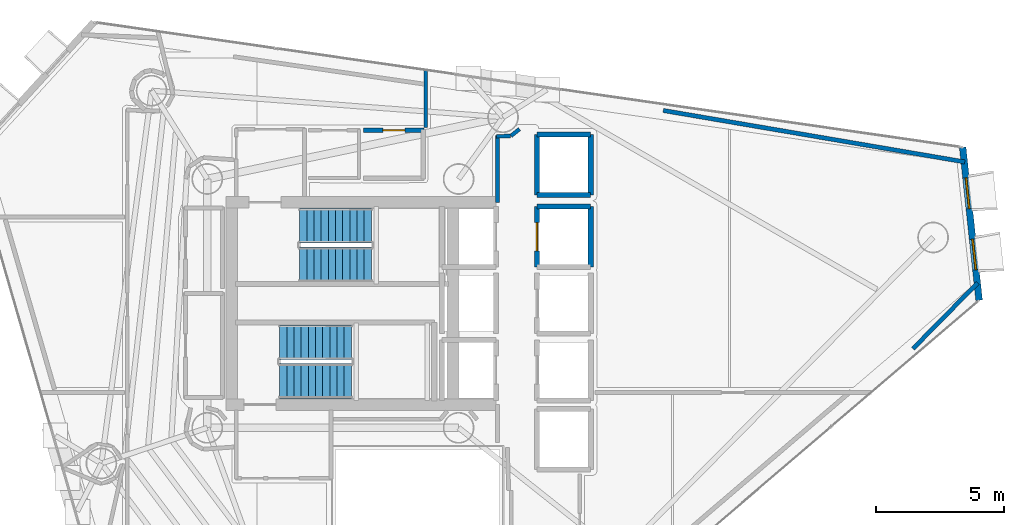
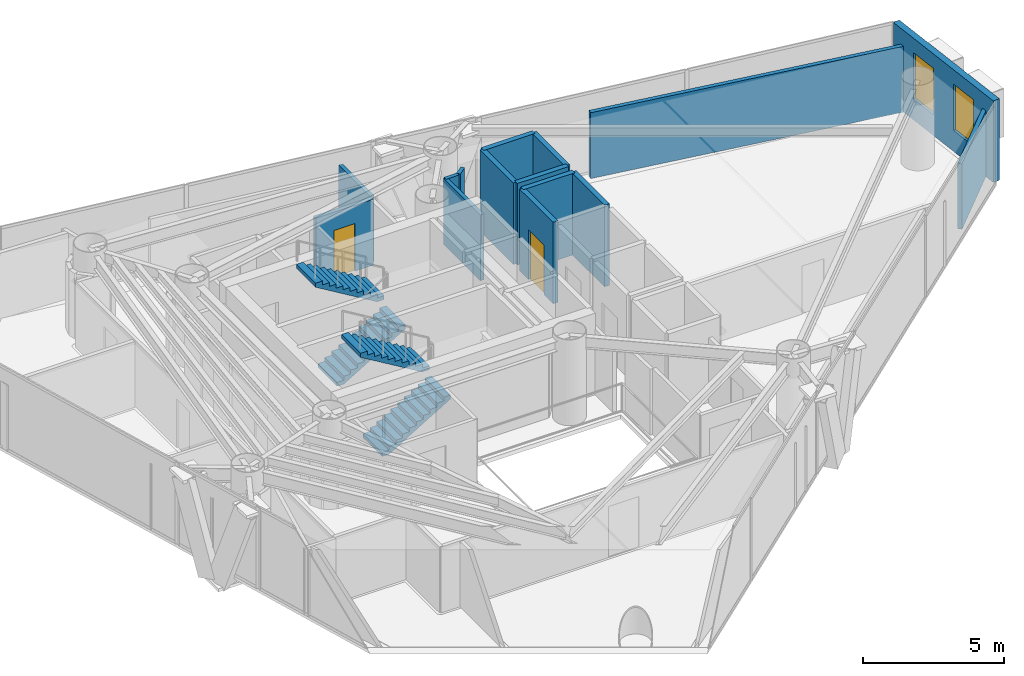
# One storey, part 20 of 23: 15 walls, 4 stair flights, 2 doors, 2 windows, 4 openings, 2 elements without a shape of their own.
"""IFC4 building model written with IfcOpenShell, lengths in metres."""

from ifc_helpers import new_model, si_unit, direction, frame, frame_2d, origin, place, context, subcontext, project, spatial, polyline, rectangle, outline, extrude, material, layer, layer_set, type_object, element, fill, aggregate, save


model = new_model("IFC4")

# Units and contexts
model_context = context("Model", 3, precision=1e-05, world=origin(), true_north=direction((0.0, 1.0)))
body_context = subcontext(model_context, "Body", "Model", "MODEL_VIEW")
ifc_project = project(units=[si_unit("LENGTHUNIT", "METRE"), si_unit("AREAUNIT", "SQUARE_METRE"), si_unit("VOLUMEUNIT", "CUBIC_METRE"), si_unit("PLANEANGLEUNIT", "RADIAN"), si_unit("MASSUNIT", "GRAM", prefix="KILO")], contexts=[model_context])

# Site, building, storey
site_placement = place(None, origin())
site = spatial("IfcSite", under=ifc_project, at=site_placement, CompositionType="ELEMENT")
building_placement = place(site_placement, origin())
building = spatial("IfcBuilding", under=site, at=building_placement, Name="Qianvela Tower", CompositionType="ELEMENT")
storey_placement = place(building_placement, frame((0.0, 0.0, 215.10009765625)))
storey = spatial("IfcBuildingStorey", under=building, at=storey_placement, Name="L55", CompositionType="ELEMENT", Elevation=215.10009765625)

# Wall, openings, windows
ifc_material_1 = material(Name="Terracotta Cladding on Concrete C40", Category="masonry")
ifc_layer_1 = layer(ifc_material_1, 0.260009765625)
ifc_layer_set_1 = layer_set([ifc_layer_1], Name="Terracotta Cladding on Concrete C40")
wall_type_1 = type_object("IfcWallType", Name="TERRACOTTA-WALL-260", PredefinedType="SOLIDWALL", material=ifc_layer_set_1)
wall_1_placement = place(storey_placement, frame((58.691650390625, 28.82177734375, 0.0), z_axis=(0.0, 0.0, 1.0), x_axis=(-0.106904112584, 0.994269335096, 0.0)))
wall_1 = element("IfcWall", 1, at=wall_1_placement, inside=storey, type_object=wall_type_1, Name="L55 Terracotta Chamfer Facet Wall 1", PredefinedType="SOLIDWALL", context=body_context, shape_type="SweptSolid", body=[
    extrude(rectangle(XDim=5.994873046875, YDim=0.260009765625, at=frame_2d((2.99755859375, 0.0))), origin(), (0.0, 0.0, 1.0), 3.52001953125),
])
opening_1_placement = place(wall_1_placement, frame((1.198486328125, 0.0, 0.89990234375)))
opening_1 = element("IfcOpeningElement", 2, at=opening_1_placement, cuts=wall_1, Name="Opening W-03", PredefinedType="OPENING", context=body_context, shape_type="SweptSolid", body=[
    extrude(rectangle(XDim=1.199951171875, YDim=2.0, at=frame_2d((0.60009765625, 1.0))), frame((0.0, 0.139892578125, 0.0), z_axis=(0.0, -1.0, 0.0), x_axis=(1.0, 0.0, 0.0)), (0.0, 0.0, 1.0), 0.280029296875),
])
opening_2_placement = place(wall_1_placement, frame((3.596435546875, 0.0, 0.89990234375)))
opening_2 = element("IfcOpeningElement", 3, at=opening_2_placement, cuts=wall_1, Name="Opening W-03", PredefinedType="OPENING", context=body_context, shape_type="SweptSolid", body=[
    extrude(rectangle(XDim=1.199951171875, YDim=2.0, at=frame_2d((0.60009765625, 1.0))), frame((0.0, 0.139892578125, 0.0), z_axis=(0.0, -1.0, 0.0), x_axis=(1.0, 0.0, 0.0)), (0.0, 0.0, 1.0), 0.280029296875),
])
ifc_material_2 = material(Name="Thermally Broken Aluminium and Low-E Glass", Category="aluminium")
window_type = type_object("IfcWindowType", Name="WIN-TC-1200x2000", PartitioningType="SINGLE_PANEL", PredefinedType="WINDOW", material=ifc_material_2)
window_1_placement = place(opening_1_placement, origin())
window_1 = element("IfcWindow", 4, at=window_1_placement, inside=storey, type_object=window_type, Name="L55 Chamfer Facet Window 1.1", OverallHeight=2.0, OverallWidth=1.199951171875, PartitioningType="SINGLE_PANEL", PredefinedType="WINDOW", context=body_context, shape_type="SweptSolid", body=[
    extrude(rectangle(XDim=1.199951171875, YDim=2.0, at=frame_2d((0.60009765625, 1.0))), frame((0.0, 0.030029296875, 0.0), z_axis=(0.0, -1.0, 0.0), x_axis=(1.0, 0.0, 0.0)), (0.0, 0.0, 1.0), 0.06005859375),
])
fill(opening_1, window_1)
window_2_placement = place(opening_2_placement, origin())
window_2 = element("IfcWindow", 5, at=window_2_placement, inside=storey, type_object=window_type, Name="L55 Chamfer Facet Window 1.2", OverallHeight=2.0, OverallWidth=1.199951171875, PartitioningType="SINGLE_PANEL", PredefinedType="WINDOW", context=body_context, shape_type="SweptSolid", body=[
    extrude(rectangle(XDim=1.199951171875, YDim=2.0, at=frame_2d((0.60009765625, 1.0))), frame((0.0, 0.030029296875, 0.0), z_axis=(0.0, -1.0, 0.0), x_axis=(1.0, 0.0, 0.0)), (0.0, 0.0, 1.0), 0.06005859375),
])
fill(opening_2, window_2)

# Walls
ifc_material_3 = material(Name="Fire-Rated Acoustic Gypsum Board")
ifc_layer_2 = layer(ifc_material_3, 0.14990234375)
ifc_layer_set_2 = layer_set([ifc_layer_2], Name="Fire-Rated Acoustic Gypsum Board")
wall_type_2 = type_object("IfcWallType", Name="WT-CORR-150", PredefinedType="PARTITIONING", material=ifc_layer_set_2)
wall_2_placement = place(storey_placement, frame((39.910888671875, 32.639892578125, 0.0), z_axis=(0.0, 0.0, 1.0), x_axis=(0.0, 1.0, 0.0)))
element("IfcWall", 6, at=wall_2_placement, inside=storey, type_object=wall_type_2, Name="L55 Partition 12", PredefinedType="PARTITIONING", context=body_context, shape_type="SweptSolid", body=[
    extrude(rectangle(XDim=2.60400390625, YDim=0.14990234375, at=frame_2d((1.302001953125, 0.0))), origin(), (0.0, 0.0, 1.0), 2.83984375),
])
wall_3_placement = place(storey_placement, frame((39.880615234375, 35.212890625, 0.0), z_axis=(0.0, 0.0, 1.0), x_axis=(0.999756500784, 0.02206669754, 0.0)))
element("IfcWall", 7, at=wall_3_placement, inside=storey, type_object=wall_type_2, Name="L55 Partition 13", PredefinedType="PARTITIONING", context=body_context, shape_type="SweptSolid", body=[
    extrude(rectangle(XDim=0.542236328125, YDim=0.14990234375, at=frame_2d((0.27099609375, 0.0))), origin(), (0.0, 0.0, 1.0), 2.83984375),
])
wall_4_placement = place(storey_placement, frame((40.44140625, 35.231689453125, 0.0), z_axis=(0.0, 0.0, 1.0), x_axis=(0.778714564707, 0.627378376033, 0.0)))
element("IfcWall", 8, at=wall_4_placement, inside=storey, type_object=wall_type_2, Name="L55 Partition 14", PredefinedType="PARTITIONING", context=body_context, shape_type="SweptSolid", body=[
    extrude(rectangle(XDim=0.421142578125, YDim=0.14990234375, at=frame_2d((0.21044921875, 0.0))), origin(), (0.0, 0.0, 1.0), 2.83984375),
])
wall_5_placement = place(storey_placement, frame((37.118896484375, 37.81591796875, 0.0), z_axis=(0.0, 0.0, 1.0), x_axis=(0.0, -1.0, 0.0)))
element("IfcWall", 9, at=wall_5_placement, inside=storey, type_object=wall_type_2, Name="L55 Partition 57 seg 1", PredefinedType="PARTITIONING", context=body_context, shape_type="SweptSolid", body=[
    extrude(rectangle(XDim=2.255859375, YDim=0.14990234375, at=frame_2d((1.1279296875, 0.0))), origin(), (0.0, 0.0, 1.0), 2.83984375),
])

# Wall, opening, door
ifc_material_4 = material(Name="Sanitary Service Chase Partition")
ifc_layer_3 = layer(ifc_material_4, 0.1650390625)
ifc_layer_set_3 = layer_set([ifc_layer_3], Name="Sanitary Service Chase Partition")
wall_type_3 = type_object("IfcWallType", Name="WT-PLUMB-165", PredefinedType="PLUMBINGWALL", material=ifc_layer_set_3)
wall_6_placement = place(storey_placement, frame((34.699951171875, 35.448974609375, 0.0), z_axis=(0.0, 0.0, 1.0), x_axis=(1.0, 0.0, 0.0)))
wall_6 = element("IfcWall", 10, at=wall_6_placement, inside=storey, type_object=wall_type_3, Name="L55 Partition 26", PredefinedType="PLUMBINGWALL", context=body_context, shape_type="SweptSolid", body=[
    extrude(rectangle(XDim=2.35009765625, YDim=0.1650390625, at=frame_2d((1.175048828125, 0.0))), origin(), (0.0, 0.0, 1.0), 2.83984375),
])
opening_3_placement = place(wall_6_placement, frame((0.7451171875, 0.0, 0.0)))
opening_3 = element("IfcOpeningElement", 11, at=opening_3_placement, cuts=wall_6, Name="Opening D-WC1", PredefinedType="OPENING", context=body_context, shape_type="SweptSolid", body=[
    extrude(rectangle(XDim=0.860107421875, YDim=2.050048828125, at=frame_2d((0.43017578125, 1.02490234375))), frame((0.0, 0.092529296875, 0.0), z_axis=(0.0, -1.0, 0.0), x_axis=(1.0, 0.0, 0.0)), (0.0, 0.0, 1.0), 0.18505859375),
])
ifc_material_5 = material(Name="Moisture-Sealed Acoustic Timber Door", Category="wood")
door_type_1 = type_object("IfcDoorType", Name="DT-WC-860", OperationType="NOTDEFINED", PredefinedType="DOOR", material=ifc_material_5)
door_1_placement = place(opening_3_placement, origin())
door_1 = element("IfcDoor", 12, at=door_1_placement, inside=storey, type_object=door_type_1, Name="L55 Door L55 Accessible WC to L55 Floor Corridor", OperationType="SINGLE_SWING_LEFT", OverallHeight=2.050048828125, OverallWidth=0.860107421875, PredefinedType="DOOR", context=body_context, shape_type="SweptSolid", body=[
    extrude(rectangle(XDim=0.860107421875, YDim=2.050048828125, at=frame_2d((0.43017578125, 1.02490234375))), frame((0.0, 0.02490234375, 0.0), z_axis=(0.0, -1.0, 0.0), x_axis=(1.0, 0.0, 0.0)), (0.0, 0.0, 1.0), 0.050048828125),
])
fill(opening_3, door_1)

# Walls
wall_7_placement = place(storey_placement, frame((46.37744140625, 36.220458984375, 0.0), z_axis=(0.0, 0.0, 1.0), x_axis=(0.985742224166, -0.168262495808, 0.0)))
element("IfcWall", 13, at=wall_7_placement, inside=storey, type_object=wall_type_3, Name="L55 Partition 135 seg 2", PredefinedType="PLUMBINGWALL", context=body_context, shape_type="SweptSolid", body=[
    extrude(rectangle(XDim=11.923828125, YDim=0.1650390625, at=frame_2d((5.9619140625, 0.0))), origin(), (0.0, 0.0, 1.0), 2.83984375),
])
wall_8_placement = place(storey_placement, frame((58.635498046875, 29.49853515625, 0.0), z_axis=(0.0, 0.0, 1.0), x_axis=(-0.701360854348, -0.712806391658, 0.0)))
element("IfcWall", 14, at=wall_8_placement, inside=storey, type_object=wall_type_3, Name="L55 Partition 137 seg 1", PredefinedType="PLUMBINGWALL", context=body_context, shape_type="SweptSolid", body=[
    extrude(rectangle(XDim=3.60498046875, YDim=0.1650390625, at=frame_2d((1.802490234375, 0.0))), origin(), (0.0, 0.0, 1.0), 2.83984375),
])
ifc_material_6 = material(Name="Concrete C50", Category="concrete")
ifc_layer_4 = layer(ifc_material_6, 0.199951171875)
ifc_layer_set_4 = layer_set([ifc_layer_4], Name="Concrete C50")
wall_type_4 = type_object("IfcWallType", Name="WT-SHAFT-200", PredefinedType="SOLIDWALL", material=ifc_layer_set_4)
wall_9_placement = place(storey_placement, frame((43.550048828125, 30.1201171875, 0.0), z_axis=(0.0, 0.0, 1.0), x_axis=(0.0, 1.0, 0.0)))
element("IfcWall", 15, at=wall_9_placement, inside=storey, type_object=wall_type_4, Name="L55 Lift PL-M1 E Shaft Wall", PredefinedType="SOLIDWALL", context=body_context, shape_type="SweptSolid", body=[
    extrude(rectangle(XDim=2.35986328125, YDim=0.199951171875, at=frame_2d((1.179931640625, 0.0))), origin(), (0.0, 0.0, 1.0), 3.52001953125),
])

# Wall, opening, door
wall_10_placement = place(storey_placement, frame((41.449951171875, 30.1201171875, 0.0), z_axis=(0.0, 0.0, 1.0), x_axis=(0.0, 1.0, 0.0)))
wall_10 = element("IfcWall", 16, at=wall_10_placement, inside=storey, type_object=wall_type_4, Name="L55 Lift PL-M1 W Shaft Wall", PredefinedType="SOLIDWALL", context=body_context, shape_type="SweptSolid", body=[
    extrude(rectangle(XDim=2.35986328125, YDim=0.199951171875, at=frame_2d((1.179931640625, 0.0))), origin(), (0.0, 0.0, 1.0), 3.52001953125),
])
opening_4_placement = place(wall_10_placement, frame((0.6298828125, 0.0, 0.0)))
opening_4 = element("IfcOpeningElement", 17, at=opening_4_placement, cuts=wall_10, Name="Opening LD-01", PredefinedType="OPENING", context=body_context, shape_type="SweptSolid", body=[
    extrude(rectangle(XDim=1.10009765625, YDim=2.14990234375, at=frame_2d((0.550048828125, 1.074951171875))), frame((0.0, 0.10986328125, 0.0), z_axis=(0.0, -1.0, 0.0), x_axis=(1.0, 0.0, 0.0)), (0.0, 0.0, 1.0), 0.219970703125),
])
ifc_material_7 = material(Name="Brushed Stainless Steel Lift Landing Door", Category="steel")
door_type_2 = type_object("IfcDoorType", Name="DT-LIFT-SLIDE-1100", OperationType="SLIDING_TO_LEFT", PredefinedType="DOOR", material=ifc_material_7)
door_2_placement = place(opening_4_placement, origin())
door_2 = element("IfcDoor", 18, at=door_2_placement, inside=storey, type_object=door_type_2, Name="L55 Lift PL-M1 Sliding Landing Door", OperationType="SLIDING_TO_LEFT", OverallHeight=2.14990234375, OverallWidth=1.10009765625, PredefinedType="DOOR", context=body_context, shape_type="SweptSolid", body=[
    extrude(rectangle(XDim=1.10009765625, YDim=2.14990234375, at=frame_2d((0.550048828125, 1.074951171875))), frame((0.0, 0.02490234375, 0.0), z_axis=(0.0, -1.0, 0.0), x_axis=(1.0, 0.0, 0.0)), (0.0, 0.0, 1.0), 0.050048828125),
])
fill(opening_4, door_2)

# Walls
wall_11_placement = place(storey_placement, frame((41.449951171875, 32.47998046875, 0.0), z_axis=(0.0, 0.0, 1.0), x_axis=(1.0, 0.0, 0.0)))
element("IfcWall", 19, at=wall_11_placement, inside=storey, type_object=wall_type_4, Name="L55 Lift PL-M1 N Shaft Wall", PredefinedType="SOLIDWALL", context=body_context, shape_type="SweptSolid", body=[
    extrude(rectangle(XDim=2.10009765625, YDim=0.199951171875, at=frame_2d((1.050048828125, 0.0))), origin(), (0.0, 0.0, 1.0), 3.52001953125),
])
for number, where, z_axis, x_axis, name in (
    (20, (43.550048828125, 32.919921875, 0.0), (0.0, 0.0, 1.0), (0.0, 1.0, 0.0), "L55 Lift PL-H3 E Shaft Wall"),
    (21, (41.449951171875, 32.919921875, 0.0), (0.0, 0.0, 1.0), (0.0, 1.0, 0.0), "L55 Lift PL-H3 W Shaft Wall"),
):
    element("IfcWall", number, at=place(storey_placement, frame(where, z_axis=z_axis, x_axis=x_axis)), inside=storey, type_object=wall_type_4, Name=name, PredefinedType="SOLIDWALL", context=body_context, shape_type="SweptSolid", body=[
        extrude(rectangle(XDim=2.360107421875, YDim=0.199951171875, at=frame_2d((1.18017578125, 0.0))), origin(), (0.0, 0.0, 1.0), 3.52001953125),
    ])
for number, where, z_axis, x_axis, name in (
    (22, (41.449951171875, 35.280029296875, 0.0), (0.0, 0.0, 1.0), (1.0, 0.0, 0.0), "L55 Lift PL-H3 N Shaft Wall"),
    (23, (41.449951171875, 32.919921875, 0.0), (0.0, 0.0, 1.0), (1.0, 0.0, 0.0), "L55 Lift PL-H3 S Shaft Wall"),
):
    element("IfcWall", number, at=place(storey_placement, frame(where, z_axis=z_axis, x_axis=x_axis)), inside=storey, type_object=wall_type_4, Name=name, PredefinedType="SOLIDWALL", context=body_context, shape_type="SweptSolid", body=[
        extrude(rectangle(XDim=2.10009765625, YDim=0.199951171875, at=frame_2d((1.050048828125, 0.0))), origin(), (0.0, 0.0, 1.0), 3.52001953125),
    ])

# Stair, stair flights
ifc_material_8 = material(Name="Concrete C40", Category="concrete")
stair_type = type_object("IfcStairType", Name="ST-DOGLEG-1350-R168-N22", PredefinedType="HALF_TURN_STAIR", material=ifc_material_8)
stair_1_placement = place(storey_placement, origin())
stair_1 = element("IfcStair", 24, at=stair_1_placement, inside=storey, type_object=stair_type, Name="L55 Smoke-Proof Core Stair ST-1", PredefinedType="HALF_TURN_STAIR")
ifc_material_9 = material(Name="Concrete C40", Category="concrete")
stair_flight_type = type_object("IfcStairFlightType", Name="STF-STRAIGHT-R168-P11", PredefinedType="STRAIGHT", material=ifc_material_9)
stair_flight_1_placement = place(storey_placement, frame((32.199951171875, 30.215087890625, 0.0), z_axis=(0.0, 0.0, 1.0), x_axis=(1.0, 0.0, 0.0)))
stair_flight_1 = element("IfcStairFlight", 25, at=stair_flight_1_placement, type_object=stair_flight_type, Name="ST-1 flight 1", NumberOfRisers=11, NumberOfTreads=10, PredefinedType="STRAIGHT", RiserHeight=0.168181818, TreadLength=0.28, context=body_context, shape_type="SweptSolid", body=[
    extrude(outline(polyline([(0.0, 0.0), (0.0, 0.168212890625), (0.280029296875, 0.168212890625), (0.280029296875, 0.33642578125), (0.56005859375, 0.33642578125), (0.56005859375, 0.504638671875), (0.840087890625, 0.504638671875), (0.840087890625, 0.672607421875), (1.1201171875, 0.672607421875), (1.1201171875, 0.8408203125), (1.39990234375, 0.8408203125), (1.39990234375, 1.009033203125), (1.679931640625, 1.009033203125), (1.679931640625, 1.17724609375), (1.9599609375, 1.17724609375), (1.9599609375, 1.345458984375), (2.239990234375, 1.345458984375), (2.239990234375, 1.513671875), (2.52001953125, 1.513671875), (2.52001953125, 1.681884765625), (2.800048828125, 1.681884765625), (2.800048828125, 1.85009765625), (2.800048828125, 1.5068359375), (0.291015625, 0.0), (0.0, 0.0)])), frame((0.0, 0.675048828125, 0.0), z_axis=(0.0, -1.0, 0.0), x_axis=(1.0, 0.0, 0.0)), (0.0, 0.0, 1.0), 1.35009765625),
])
stair_flight_2_placement = place(storey_placement, frame((35.0, 31.72509765625, 1.849853515625), z_axis=(0.0, 0.0, 1.0), x_axis=(-1.0, 0.0, 0.0)))
stair_flight_2 = element("IfcStairFlight", 26, at=stair_flight_2_placement, type_object=stair_flight_type, Name="ST-1 flight 2", NumberOfRisers=11, NumberOfTreads=10, PredefinedType="STRAIGHT", RiserHeight=0.168181818, TreadLength=0.28, context=body_context, shape_type="SweptSolid", body=[
    extrude(outline(polyline([(0.0, 0.0), (0.0, 0.168212890625), (0.280029296875, 0.168212890625), (0.280029296875, 0.33642578125), (0.56005859375, 0.33642578125), (0.56005859375, 0.504638671875), (0.840087890625, 0.504638671875), (0.840087890625, 0.672607421875), (1.1201171875, 0.672607421875), (1.1201171875, 0.8408203125), (1.39990234375, 0.8408203125), (1.39990234375, 1.009033203125), (1.679931640625, 1.009033203125), (1.679931640625, 1.17724609375), (1.9599609375, 1.17724609375), (1.9599609375, 1.345458984375), (2.239990234375, 1.345458984375), (2.239990234375, 1.513671875), (2.52001953125, 1.513671875), (2.52001953125, 1.681884765625), (2.800048828125, 1.681884765625), (2.800048828125, 1.85009765625), (2.800048828125, 1.5068359375), (0.291015625, 0.0), (0.0, 0.0)])), frame((0.0, 0.675048828125, 0.0), z_axis=(0.0, -1.0, 0.0), x_axis=(1.0, 0.0, 0.0)), (0.0, 0.0, 1.0), 1.35009765625),
])
aggregate(stair_1, [stair_flight_1, stair_flight_2])

stair_2_placement = place(storey_placement, origin())
stair_2 = element("IfcStair", 27, at=stair_2_placement, inside=storey, type_object=stair_type, Name="L55 Smoke-Proof Core Stair ST-2", PredefinedType="HALF_TURN_STAIR")
stair_flight_3_placement = place(storey_placement, frame((31.419921875, 25.675048828125, 0.0), z_axis=(0.0, 0.0, 1.0), x_axis=(1.0, 0.0, 0.0)))
stair_flight_3 = element("IfcStairFlight", 28, at=stair_flight_3_placement, type_object=stair_flight_type, Name="ST-2 flight 1", NumberOfRisers=11, NumberOfTreads=10, PredefinedType="STRAIGHT", RiserHeight=0.168181818, TreadLength=0.28, context=body_context, shape_type="SweptSolid", body=[
    extrude(outline(polyline([(0.0, 0.0), (0.0, 0.168212890625), (0.280029296875, 0.168212890625), (0.280029296875, 0.33642578125), (0.56005859375, 0.33642578125), (0.56005859375, 0.504638671875), (0.840087890625, 0.504638671875), (0.840087890625, 0.672607421875), (1.1201171875, 0.672607421875), (1.1201171875, 0.8408203125), (1.39990234375, 0.8408203125), (1.39990234375, 1.009033203125), (1.679931640625, 1.009033203125), (1.679931640625, 1.17724609375), (1.9599609375, 1.17724609375), (1.9599609375, 1.345458984375), (2.239990234375, 1.345458984375), (2.239990234375, 1.513671875), (2.52001953125, 1.513671875), (2.52001953125, 1.681884765625), (2.800048828125, 1.681884765625), (2.800048828125, 1.85009765625), (2.800048828125, 1.5068359375), (0.291015625, 0.0), (0.0, 0.0)])), frame((0.0, 0.675048828125, 0.0), z_axis=(0.0, -1.0, 0.0), x_axis=(1.0, 0.0, 0.0)), (0.0, 0.0, 1.0), 1.35009765625),
])
stair_flight_4_placement = place(storey_placement, frame((34.219970703125, 27.18505859375, 1.849853515625), z_axis=(0.0, 0.0, 1.0), x_axis=(-1.0, 0.0, 0.0)))
stair_flight_4 = element("IfcStairFlight", 29, at=stair_flight_4_placement, type_object=stair_flight_type, Name="ST-2 flight 2", NumberOfRisers=11, NumberOfTreads=10, PredefinedType="STRAIGHT", RiserHeight=0.168181818, TreadLength=0.28, context=body_context, shape_type="SweptSolid", body=[
    extrude(outline(polyline([(0.0, 0.0), (0.0, 0.168212890625), (0.280029296875, 0.168212890625), (0.280029296875, 0.33642578125), (0.56005859375, 0.33642578125), (0.56005859375, 0.504638671875), (0.840087890625, 0.504638671875), (0.840087890625, 0.672607421875), (1.1201171875, 0.672607421875), (1.1201171875, 0.8408203125), (1.39990234375, 0.8408203125), (1.39990234375, 1.009033203125), (1.679931640625, 1.009033203125), (1.679931640625, 1.17724609375), (1.9599609375, 1.17724609375), (1.9599609375, 1.345458984375), (2.239990234375, 1.345458984375), (2.239990234375, 1.513671875), (2.52001953125, 1.513671875), (2.52001953125, 1.681884765625), (2.800048828125, 1.681884765625), (2.800048828125, 1.85009765625), (2.800048828125, 1.5068359375), (0.291015625, 0.0), (0.0, 0.0)])), frame((0.0, 0.675048828125, 0.0), z_axis=(0.0, -1.0, 0.0), x_axis=(1.0, 0.0, 0.0)), (0.0, 0.0, 1.0), 1.35009765625),
])
aggregate(stair_2, [stair_flight_3, stair_flight_4])

save(model, "model.ifc")
